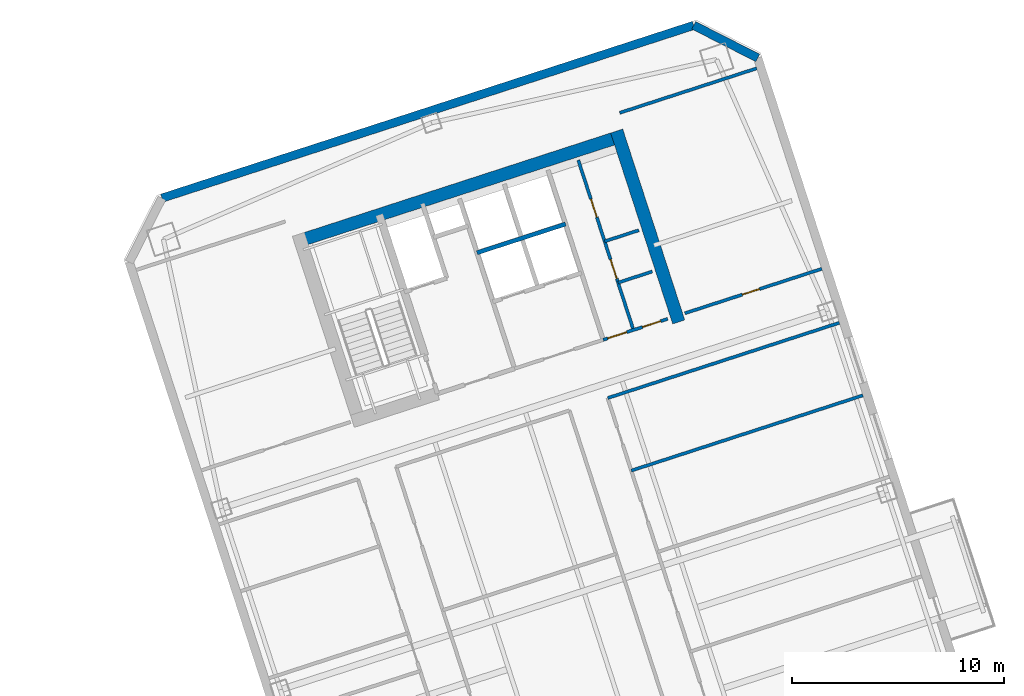
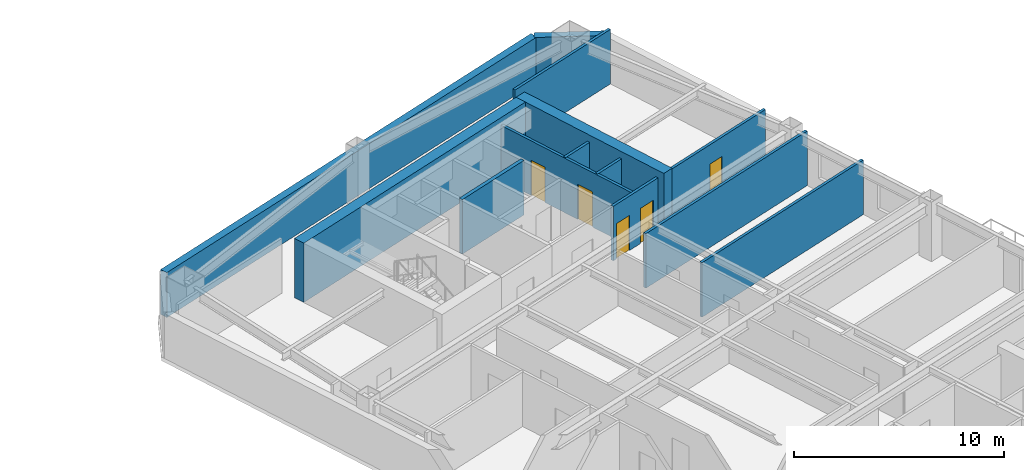
# One storey, part 10 of 15: 13 walls, 5 doors, 5 openings.
"""IFC4 building model written with IfcOpenShell, lengths in metres."""

from ifc_helpers import new_model, si_unit, direction, frame, frame_2d, origin, place, context, subcontext, project, spatial, rectangle, extrude, material, layer, layer_set, type_object, element, fill, save


model = new_model("IFC4")

# Units and contexts
model_context = context("Model", 3, precision=1e-05, world=origin(), true_north=direction((0.0, 1.0)))
body_context = subcontext(model_context, "Body", "Model", "MODEL_VIEW")
ifc_project = project(units=[si_unit("LENGTHUNIT", "METRE"), si_unit("AREAUNIT", "SQUARE_METRE"), si_unit("VOLUMEUNIT", "CUBIC_METRE"), si_unit("PLANEANGLEUNIT", "RADIAN"), si_unit("MASSUNIT", "GRAM", prefix="KILO")], contexts=[model_context])

# Site, building, storey
site_placement = place(None, origin())
site = spatial("IfcSite", under=ifc_project, at=site_placement, CompositionType="ELEMENT")
building_placement = place(site_placement, origin())
building = spatial("IfcBuilding", under=site, at=building_placement, Name="Qiaolan Cultural Towers", CompositionType="ELEMENT")
storey_placement = place(building_placement, frame((0.0, 0.0, 166.75)))
storey = spatial("IfcBuildingStorey", under=building, at=storey_placement, Name="L44", CompositionType="ELEMENT", Elevation=166.75)

# Walls
ifc_material_1 = material(Name="Concrete C55", Category="concrete")
ifc_layer_1 = layer(ifc_material_1, 0.60009765625)
ifc_layer_set_1 = layer_set([ifc_layer_1], Name="Concrete C55")
wall_type_1 = type_object("IfcWallType", Name="WL-CORE-600", PredefinedType="SHEAR", material=ifc_layer_set_1)
wall_1_placement = place(storey_placement, frame((76.343505859375, 50.4658203125, 0.0), z_axis=(0.0, 0.0, 1.0), x_axis=(0.951055727519, 0.309019421968, 0.0)))
element("IfcWall", 1, at=wall_1_placement, inside=storey, type_object=wall_type_1, Name="L44 T2-CN Outer Core Shear Wall", PredefinedType="SHEAR", context=body_context, shape_type="SweptSolid", body=[
    extrude(rectangle(XDim=16.39990234375, YDim=0.60009765625, at=frame_2d((8.199951171875, 0.0))), origin(), (0.0, 0.0, 1.0), 3.449951171875),
])
wall_2_placement = place(storey_placement, frame((94.4921875, 46.710205078125, 0.0), z_axis=(0.0, 0.0, 1.0), x_axis=(-0.309010370028, 0.95105866865, 0.0)))
element("IfcWall", 2, at=wall_2_placement, inside=storey, type_object=wall_type_1, Name="L44 T2-CN East Core Shear Wall", PredefinedType="SHEAR", context=body_context, shape_type="SweptSolid", body=[
    extrude(rectangle(XDim=9.47998046875, YDim=0.60009765625, at=frame_2d((4.739990234375, 0.0))), origin(), (0.0, 0.0, 1.0), 3.449951171875),
])
ifc_material_2 = material(Name="Precast Concrete C50 Honed Stone Pier", Category="masonry")
ifc_layer_2 = layer(ifc_material_2, 0.39990234375)
ifc_layer_set_2 = layer_set([ifc_layer_2], Name="Precast Concrete C50 Honed Stone Pier")
wall_type_2 = type_object("IfcWallType", Name="WL-EXT-PIER-400", PredefinedType="SOLIDWALL", material=ifc_layer_set_2)
wall_3_placement = place(storey_placement, frame((70.091552734375, 52.55615234375, 0.0), z_axis=(0.0, 0.0, 1.0), x_axis=(0.951057580055, 0.30901372044, 0.0)))
element("IfcWall", 3, at=wall_3_placement, inside=storey, type_object=wall_type_2, Name="L44 East Tower Precast Pier Facade Wall F3", PredefinedType="SOLIDWALL", context=body_context, shape_type="SweptSolid", body=[
    extrude(rectangle(XDim=26.39990234375, YDim=0.39990234375, at=frame_2d((13.199951171875, 0.0))), origin(), (0.0, 0.0, 1.0), 2.610107421875),
])
wall_4_placement = place(storey_placement, frame((95.199462890625, 60.714111328125, 0.0), z_axis=(0.0, 0.0, 1.0), x_axis=(0.891020832027, -0.453962417932, 0.0)))
element("IfcWall", 4, at=wall_4_placement, inside=storey, type_object=wall_type_2, Name="L44 East Tower Precast Pier Facade Wall F4", PredefinedType="SOLIDWALL", context=body_context, shape_type="SweptSolid", body=[
    extrude(rectangle(XDim=3.39404296875, YDim=0.39990234375, at=frame_2d((1.697021484375, 0.0))), origin(), (0.0, 0.0, 1.0), 2.610107421875),
])
ifc_material_3 = material(Name="Concrete C35 Fire Wall", Category="concrete")
ifc_layer_3 = layer(ifc_material_3, 0.199951171875)
ifc_layer_set_3 = layer_set([ifc_layer_3], Name="Concrete C35 Fire Wall")
wall_type_3 = type_object("IfcWallType", Name="WL-FIRE-200", PredefinedType="PARTITIONING", material=ifc_layer_set_3)
wall_5_placement = place(storey_placement, frame((84.966552734375, 49.9765625, 0.0), z_axis=(0.0, 0.0, 1.0), x_axis=(0.951063829732, 0.308994485023, 0.0)))
element("IfcWall", 5, at=wall_5_placement, inside=storey, type_object=wall_type_3, Name="L44 T2-CN Passenger Lift Shaft Back Wall", PredefinedType="PARTITIONING", context=body_context, shape_type="SweptSolid", body=[
    extrude(rectangle(XDim=4.400146484375, YDim=0.199951171875, at=frame_2d((2.2001953125, 0.0))), origin(), (0.0, 0.0, 1.0), 3.175048828125),
])

# Wall, openings, doors
ifc_material_4 = material(Name="Autoclaved Aerated Concrete Block B06", Category="concrete")
ifc_layer_4 = layer(ifc_material_4, 0.14990234375)
ifc_layer_set_4 = layer_set([ifc_layer_4], Name="Autoclaved Aerated Concrete Block B06")
wall_type_4 = type_object("IfcWallType", Name="WL-PART-150", PredefinedType="PARTITIONING", material=ifc_layer_set_4)
wall_6_placement = place(storey_placement, frame((90.92822265625, 45.86767578125, 0.0), z_axis=(0.0, 0.0, 1.0), x_axis=(0.951059297078, 0.309008435874, 0.0)))
wall_6 = element("IfcWall", 6, at=wall_6_placement, inside=storey, type_object=wall_type_4, Name="L44 T2-CN Sanitary Core Front Wall", PredefinedType="PARTITIONING", context=body_context, shape_type="SweptSolid", body=[
    extrude(rectangle(XDim=3.19970703125, YDim=0.14990234375, at=frame_2d((1.599853515625, 0.0))), origin(), (0.0, 0.0, 1.0), 3.175048828125),
])
opening_1_placement = place(wall_6_placement, frame((0.219970703125, 0.0, 0.0)))
opening_1 = element("IfcOpeningElement", 7, at=opening_1_placement, cuts=wall_6, Name="Opening ID-05", PredefinedType="OPENING", context=body_context, shape_type="SweptSolid", body=[
    extrude(rectangle(XDim=0.949951171875, YDim=2.050048828125, at=frame_2d((0.47509765625, 1.02490234375))), frame((0.0, 0.0849609375, 0.0), z_axis=(0.0, -1.0, 0.0), x_axis=(1.0, 0.0, 0.0)), (0.0, 0.0, 1.0), 0.169921875),
])
opening_2_placement = place(wall_6_placement, frame((1.949951171875, 0.0, 0.0)))
opening_2 = element("IfcOpeningElement", 8, at=opening_2_placement, cuts=wall_6, Name="Opening ID-06", PredefinedType="OPENING", context=body_context, shape_type="SweptSolid", body=[
    extrude(rectangle(XDim=0.89990234375, YDim=2.050048828125, at=frame_2d((0.449951171875, 1.02490234375))), frame((0.0, 0.0849609375, 0.0), z_axis=(0.0, -1.0, 0.0), x_axis=(1.0, 0.0, 0.0)), (0.0, 0.0, 1.0), 0.169921875),
])
ifc_material_5 = material(Name="Fire-Rated Laminate Core Service Door", Category="timber")
door_type_1 = type_object("IfcDoorType", Name="DR-INT-900", OperationType="NOTDEFINED", PredefinedType="DOOR", material=ifc_material_5)
door_1_placement = place(opening_2_placement, origin())
door_1 = element("IfcDoor", 9, at=door_1_placement, inside=storey, type_object=door_type_1, Name="L44 Core Tea Pantry Door", OperationType="SINGLE_SWING_RIGHT", OverallHeight=2.050048828125, OverallWidth=0.89990234375, PredefinedType="DOOR", context=body_context, shape_type="SweptSolid", body=[
    extrude(rectangle(XDim=0.89990234375, YDim=2.050048828125, at=frame_2d((0.449951171875, 1.02490234375))), frame((0.0, 0.02490234375, 0.0), z_axis=(0.0, -1.0, 0.0), x_axis=(1.0, 0.0, 0.0)), (0.0, 0.0, 1.0), 0.050048828125),
])
fill(opening_2, door_1)
ifc_material_6 = material(Name="Fire-Rated Laminate Accessible Core Door", Category="timber")
door_type_2 = type_object("IfcDoorType", Name="DR-INT-950", OperationType="NOTDEFINED", PredefinedType="DOOR", material=ifc_material_6)
door_2_placement = place(opening_1_placement, origin())
door_2 = element("IfcDoor", 10, at=door_2_placement, inside=storey, type_object=door_type_2, Name="L44 Sanitary Passage Door", OperationType="SINGLE_SWING_LEFT", OverallHeight=2.050048828125, OverallWidth=0.949951171875, PredefinedType="DOOR", context=body_context, shape_type="SweptSolid", body=[
    extrude(rectangle(XDim=0.949951171875, YDim=2.050048828125, at=frame_2d((0.47509765625, 1.02490234375))), frame((0.0, 0.02490234375, 0.0), z_axis=(0.0, -1.0, 0.0), x_axis=(1.0, 0.0, 0.0)), (0.0, 0.0, 1.0), 0.050048828125),
])
fill(opening_1, door_2)

wall_7_placement = place(storey_placement, frame((92.354736328125, 46.3310546875, 0.0), z_axis=(0.0, 0.0, 1.0), x_axis=(-0.309007490203, 0.951059604335, 0.0)))
wall_7 = element("IfcWall", 11, at=wall_7_placement, inside=storey, type_object=wall_type_4, Name="L44 T2-CN Sanitary Corridor Wall", PredefinedType="PARTITIONING", context=body_context, shape_type="SweptSolid", body=[
    extrude(rectangle(XDim=8.43017578125, YDim=0.14990234375, at=frame_2d((4.215087890625, 0.0))), origin(), (0.0, 0.0, 1.0), 3.175048828125),
])
opening_3_placement = place(wall_7_placement, frame((2.550048828125, 0.0, 0.0)))
opening_3 = element("IfcOpeningElement", 12, at=opening_3_placement, cuts=wall_7, Name="Opening ID-05", PredefinedType="OPENING", context=body_context, shape_type="SweptSolid", body=[
    extrude(rectangle(XDim=0.949951171875, YDim=2.050048828125, at=frame_2d((0.47509765625, 1.02490234375))), frame((0.0, 0.0849609375, 0.0), z_axis=(0.0, -1.0, 0.0), x_axis=(1.0, 0.0, 0.0)), (0.0, 0.0, 1.0), 0.169921875),
])
opening_4_placement = place(wall_7_placement, frame((5.60009765625, 0.0, 0.0)))
opening_4 = element("IfcOpeningElement", 13, at=opening_4_placement, cuts=wall_7, Name="Opening ID-06", PredefinedType="OPENING", context=body_context, shape_type="SweptSolid", body=[
    extrude(rectangle(XDim=0.89990234375, YDim=2.050048828125, at=frame_2d((0.449951171875, 1.02490234375))), frame((0.0, 0.0849609375, 0.0), z_axis=(0.0, -1.0, 0.0), x_axis=(1.0, 0.0, 0.0)), (0.0, 0.0, 1.0), 0.169921875),
])
door_3_placement = place(opening_4_placement, origin())
door_3 = element("IfcDoor", 14, at=door_3_placement, inside=storey, type_object=door_type_1, Name="L44 Staff Restroom Door", OperationType="SINGLE_SWING_RIGHT", OverallHeight=2.050048828125, OverallWidth=0.89990234375, PredefinedType="DOOR", context=body_context, shape_type="SweptSolid", body=[
    extrude(rectangle(XDim=0.89990234375, YDim=2.050048828125, at=frame_2d((0.449951171875, 1.02490234375))), frame((0.0, 0.02490234375, 0.0), z_axis=(0.0, -1.0, 0.0), x_axis=(1.0, 0.0, 0.0)), (0.0, 0.0, 1.0), 0.050048828125),
])
fill(opening_4, door_3)
door_4_placement = place(opening_3_placement, origin())
door_4 = element("IfcDoor", 15, at=door_4_placement, inside=storey, type_object=door_type_2, Name="L44 Accessible Washroom Door", OperationType="SINGLE_SWING_LEFT", OverallHeight=2.050048828125, OverallWidth=0.949951171875, PredefinedType="DOOR", context=body_context, shape_type="SweptSolid", body=[
    extrude(rectangle(XDim=0.949951171875, YDim=2.050048828125, at=frame_2d((0.47509765625, 1.02490234375))), frame((0.0, 0.02490234375, 0.0), z_axis=(0.0, -1.0, 0.0), x_axis=(1.0, 0.0, 0.0)), (0.0, 0.0, 1.0), 0.050048828125),
])
fill(opening_3, door_4)

# Walls
wall_8_placement = place(storey_placement, frame((90.9951171875, 50.515869140625, 0.0), z_axis=(0.0, 0.0, 1.0), x_axis=(0.951040401051, 0.309066587596, 0.0)))
element("IfcWall", 16, at=wall_8_placement, inside=storey, type_object=wall_type_4, Name="L44 T2-CN Restroom Split Wall", PredefinedType="PARTITIONING", context=body_context, shape_type="SweptSolid", body=[
    extrude(rectangle(XDim=1.699951171875, YDim=0.14990234375, at=frame_2d((0.85009765625, 0.0))), origin(), (0.0, 0.0, 1.0), 3.175048828125),
])
wall_9_placement = place(storey_placement, frame((91.62841796875, 48.566162109375, 0.0), z_axis=(0.0, 0.0, 1.0), x_axis=(0.951054116971, 0.309024378638, 0.0)))
element("IfcWall", 17, at=wall_9_placement, inside=storey, type_object=wall_type_4, Name="L44 T2-CN Core Pantry Wall", PredefinedType="PARTITIONING", context=body_context, shape_type="SweptSolid", body=[
    extrude(rectangle(XDim=1.7001953125, YDim=0.14990234375, at=frame_2d((0.85009765625, 0.0))), origin(), (0.0, 0.0, 1.0), 3.175048828125),
])
wall_10_placement = place(storey_placement, frame((91.705078125, 56.582275390625, 0.0), z_axis=(0.0, 0.0, 1.0), x_axis=(0.951057811516, 0.309013008068, 0.0)))
element("IfcWall", 18, at=wall_10_placement, inside=storey, type_object=wall_type_4, Name="L44 T2 Flank Wall FLK-NE", PredefinedType="PARTITIONING", context=body_context, shape_type="SweptSolid", body=[
    extrude(rectangle(XDim=6.800048828125, YDim=0.14990234375, at=frame_2d((3.39990234375, 0.0))), origin(), (0.0, 0.0, 1.0), 3.175048828125),
])

# Wall, opening, door
wall_11_placement = place(storey_placement, frame((94.77978515625, 47.119140625, 0.0), z_axis=(0.0, 0.0, 1.0), x_axis=(0.951057811516, 0.309013008068, 0.0)))
wall_11 = element("IfcWall", 19, at=wall_11_placement, inside=storey, type_object=wall_type_4, Name="L44 T2 Flank Front FLK-NE", PredefinedType="PARTITIONING", context=body_context, shape_type="SweptSolid", body=[
    extrude(rectangle(XDim=6.800048828125, YDim=0.14990234375, at=frame_2d((3.39990234375, 0.0))), origin(), (0.0, 0.0, 1.0), 3.175048828125),
])
opening_5_placement = place(wall_11_placement, frame((2.85595703125, 0.0, 0.0)))
opening_5 = element("IfcOpeningElement", 20, at=opening_5_placement, cuts=wall_11, Name="Opening ID-09", PredefinedType="OPENING", context=body_context, shape_type="SweptSolid", body=[
    extrude(rectangle(XDim=0.85009765625, YDim=2.050048828125, at=frame_2d((0.425048828125, 1.02490234375))), frame((0.0, 0.0849609375, 0.0), z_axis=(0.0, -1.0, 0.0), x_axis=(1.0, 0.0, 0.0)), (0.0, 0.0, 1.0), 0.169921875),
])
ifc_material_7 = material(Name="Moisture-Resistant Laminate Utility Door", Category="timber")
door_type_3 = type_object("IfcDoorType", Name="DR-INT-850", OperationType="NOTDEFINED", PredefinedType="DOOR", material=ifc_material_7)
door_5_placement = place(opening_5_placement, origin())
door_5 = element("IfcDoor", 21, at=door_5_placement, inside=storey, type_object=door_type_3, Name="L44 T2 Corner Studio Door", OperationType="SINGLE_SWING_LEFT", OverallHeight=2.050048828125, OverallWidth=0.85009765625, PredefinedType="DOOR", context=body_context, shape_type="SweptSolid", body=[
    extrude(rectangle(XDim=0.85009765625, YDim=2.050048828125, at=frame_2d((0.425048828125, 1.02490234375))), frame((0.0, 0.02490234375, 0.0), z_axis=(0.0, -1.0, 0.0), x_axis=(1.0, 0.0, 0.0)), (0.0, 0.0, 1.0), 0.050048828125),
])
fill(opening_5, door_5)

# Walls
wall_12_placement = place(storey_placement, frame((91.13818359375, 43.117919921875, 0.0), z_axis=(0.0, 0.0, 1.0), x_axis=(0.951054972381, 0.309021746015, 0.0)))
element("IfcWall", 22, at=wall_12_placement, inside=storey, type_object=wall_type_4, Name="L44 T2 Interior Wall", PredefinedType="PARTITIONING", context=body_context, shape_type="SweptSolid", body=[
    extrude(rectangle(XDim=11.499755859375, YDim=0.14990234375, at=frame_2d((5.75, 0.0))), origin(), (0.0, 0.0, 1.0), 3.175048828125),
])
wall_13_placement = place(storey_placement, frame((92.25146484375, 39.69140625, 0.0), z_axis=(0.0, 0.0, 1.0), x_axis=(0.951063238644, 0.308996304347, 0.0)))
element("IfcWall", 23, at=wall_13_placement, inside=storey, type_object=wall_type_4, Name="L44 T2 Interior Wall", PredefinedType="PARTITIONING", context=body_context, shape_type="SweptSolid", body=[
    extrude(rectangle(XDim=11.5, YDim=0.14990234375, at=frame_2d((5.75, 0.0))), origin(), (0.0, 0.0, 1.0), 3.175048828125),
])

save(model, "model.ifc")
